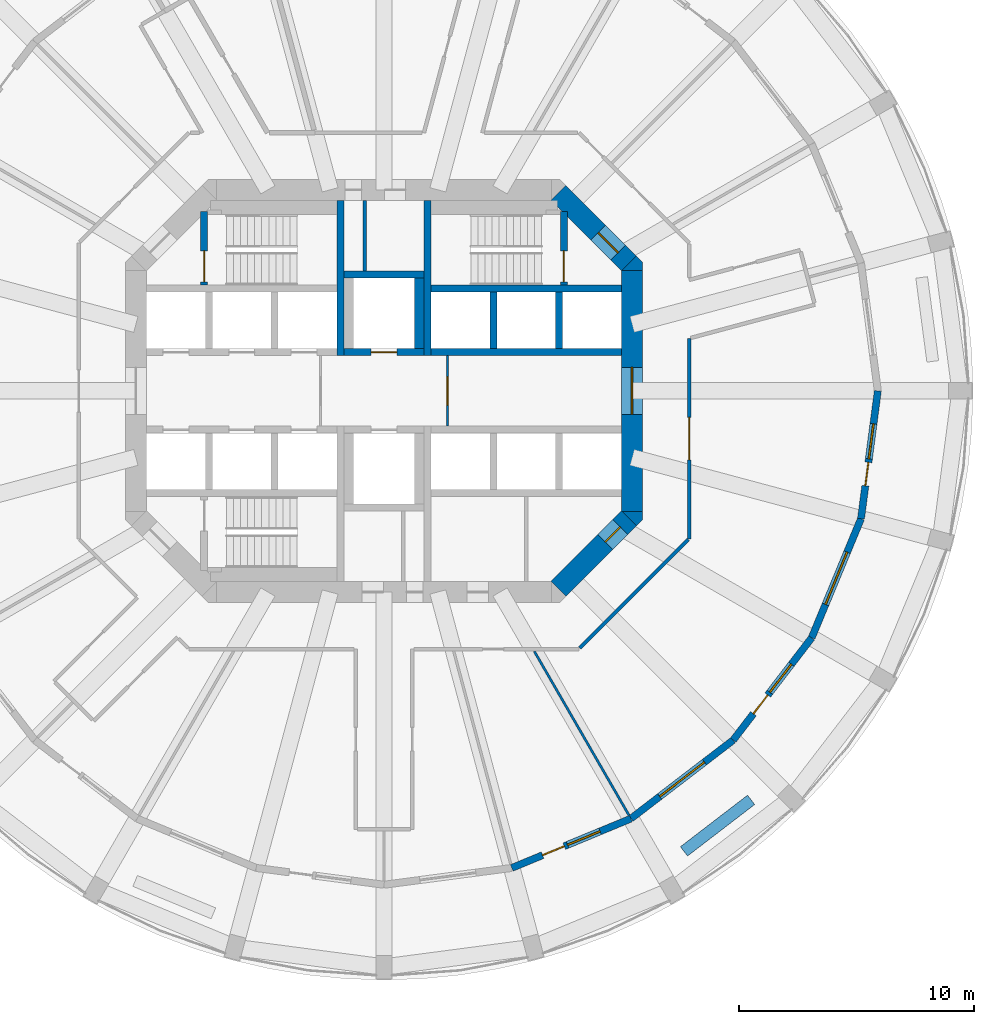
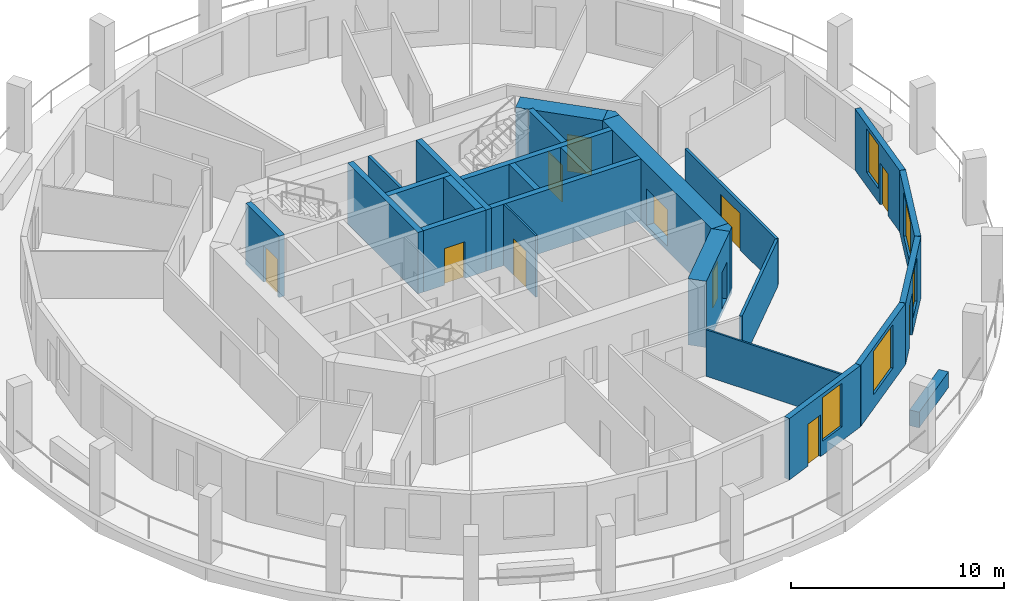
# One storey, part 4 of 8: 27 walls, 11 doors, 5 windows, 16 openings.
"""IFC4 building model written with IfcOpenShell, lengths in metres."""

import ifcopenshell
import ifcopenshell.guid

model = None  # the IFC model being written
_history = None  # IfcOwnerHistory: only IFC2X3 demands one
_inside = {}  # id of a spatial element -> (the spatial element, [elements in it])
_under = {}  # id of a project, library or spatial element -> (it, [spatial elements below it])
_declared = {}  # id of a project -> (the project, [libraries it declares])
_typed = {}  # id of a type object -> (the type object, [elements of that type])
_made_of = {}  # id of a material, layer set ... -> (it, [elements and type objects made of it])


def new_model(schema):
    """Start an empty IFC model of exactly this schema.

    Asked for "IFC4X3", IfcOpenShell would pick the latest addendum, in which some entities
    have other attributes; the version numbers below select the first issue.
    IFC2X3 requires an IfcOwnerHistory on every rooted entity: one is made here for all.
    """
    global model, _history
    if schema == "IFC4X3":
        model = ifcopenshell.file(schema_version=(4, 3, 0, 0))
    else:
        model = ifcopenshell.file(schema=schema)
    _inside.clear()
    _under.clear()
    _declared.clear()
    _typed.clear()
    _made_of.clear()
    _history = None
    if model.schema == "IFC2X3":
        org = make("IfcOrganization", Name="unknown")
        user = make(
            "IfcPersonAndOrganization",
            ThePerson=make("IfcPerson", FamilyName="unknown"),
            TheOrganization=org,
        )
        app = make(
            "IfcApplication",
            ApplicationDeveloper=org,
            Version="unknown",
            ApplicationFullName="unknown",
            ApplicationIdentifier="unknown",
        )
        _history = make(
            "IfcOwnerHistory",
            OwningUser=user,
            OwningApplication=app,
            ChangeAction="ADDED",
            CreationDate=0,
        )
    return model


def make(cls, **values):
    """One entity of the class cls with the attributes given. An attribute that is None is left unset."""
    return model.create_entity(
        cls, **{name: value for name, value in values.items() if value is not None}
    )


def rooted(cls, **values):
    """An entity with a GlobalId (a new one), such as an element, a storey or a relation."""
    return make(cls, GlobalId=ifcopenshell.guid.new(), OwnerHistory=_history, **values)


def si_unit(unit_type, name, prefix=None):
    """IfcSIUnit, for example si_unit("LENGTHUNIT", "METRE", prefix="MILLI")."""
    return make("IfcSIUnit", UnitType=unit_type, Prefix=prefix, Name=name)


def assignment(units):
    """IfcUnitAssignment: the units of a project."""
    return None if units is None else make("IfcUnitAssignment", Units=units)


def point(xyz):
    """IfcCartesianPoint."""
    return None if xyz is None else make("IfcCartesianPoint", Coordinates=xyz)


def direction(xyz):
    """IfcDirection."""
    return None if xyz is None else make("IfcDirection", DirectionRatios=xyz)


def frame(location, z_axis=None, x_axis=None):
    """IfcAxis2Placement3D, a coordinate frame: its origin and axes. An axis left out is left unset."""
    return make(
        "IfcAxis2Placement3D",
        Location=point(location),
        Axis=direction(z_axis),
        RefDirection=direction(x_axis),
    )


def frame_2d(location, x_axis=None):
    """IfcAxis2Placement2D, a coordinate frame in the plane: its origin and x axis."""
    return make(
        "IfcAxis2Placement2D", Location=point(location), RefDirection=direction(x_axis)
    )


def origin():
    """The frame at (0, 0, 0) with its axes left unset."""
    return frame((0.0, 0.0, 0.0))


def place(relative_to, where):
    """IfcLocalPlacement: puts the frame where relative to a parent placement (None: the world)."""
    return make(
        "IfcLocalPlacement", PlacementRelTo=relative_to, RelativePlacement=where
    )


def context(
    kind, dimensions, precision=None, world=None, true_north=None, identifier=None
):
    """IfcGeometricRepresentationContext, for example the 3D "Model" context."""
    return make(
        "IfcGeometricRepresentationContext",
        ContextIdentifier=identifier,
        ContextType=kind,
        CoordinateSpaceDimension=dimensions,
        Precision=precision,
        WorldCoordinateSystem=world,
        TrueNorth=true_north,
    )


def subcontext(parent, identifier, kind, view, scale=None):
    """IfcGeometricRepresentationSubContext, for example "Body" below "Model"."""
    return make(
        "IfcGeometricRepresentationSubContext",
        ContextIdentifier=identifier,
        ContextType=kind,
        ParentContext=parent,
        TargetScale=scale,
        TargetView=view,
    )


def project(units=None, contexts=None):
    """IfcProject with its units and contexts."""
    return rooted(
        "IfcProject",
        Name="project",
        RepresentationContexts=contexts,
        UnitsInContext=assignment(units),
    )


def spatial(cls, under=None, at=None, **own):
    """A site, building, storey or space (cls), placed at a placement, below another one or the project."""
    s = rooted(cls, ObjectPlacement=at, **own)
    if under is not None:
        _under.setdefault(under.id(), (under, []))[1].append(s)
    return s


def polyline(points):
    """IfcPolyline through the points."""
    return make("IfcPolyline", Points=[point(p) for p in points])


def profile(cls, at=None, kind="AREA", **sizes):
    """A parametric profile (cls). Its sizes go by their IFC names, for example OverallWidth=200.0."""
    return make(cls, ProfileType=kind, Position=at, **sizes)


def rectangle(**sizes):
    """IfcRectangleProfileDef."""
    return profile("IfcRectangleProfileDef", **sizes)


def outline(outer, holes=None, kind="AREA"):
    """IfcArbitraryClosedProfileDef: a profile drawn as a closed curve; with holes, ...WithVoids."""
    if holes is None:
        return make("IfcArbitraryClosedProfileDef", ProfileType=kind, OuterCurve=outer)
    return make(
        "IfcArbitraryProfileDefWithVoids",
        ProfileType=kind,
        OuterCurve=outer,
        InnerCurves=holes,
    )


def extrude(swept, where, along, depth):
    """IfcExtrudedAreaSolid: the profile swept, set in the frame where, extruded along a direction by depth."""
    return make(
        "IfcExtrudedAreaSolid",
        SweptArea=swept,
        Position=where,
        ExtrudedDirection=direction(along),
        Depth=depth,
    )


def shape(context_of_items, identifier, shape_type, items):
    """IfcShapeRepresentation: the items that make up one representation, for example the "Body"."""
    return make(
        "IfcShapeRepresentation",
        ContextOfItems=context_of_items,
        RepresentationIdentifier=identifier,
        RepresentationType=shape_type,
        Items=items,
    )


def material(Name=None, Category=None):
    """IfcMaterial."""
    return make("IfcMaterial", Name=Name, Category=Category)


def layer(
    of_material, thickness, ventilated=None, Name=None, Category=None, Priority=None
):
    """IfcMaterialLayer: one layer of a wall or slab, of a material (None: an air gap)."""
    return make(
        "IfcMaterialLayer",
        Material=of_material,
        LayerThickness=thickness,
        IsVentilated=ventilated,
        Name=Name,
        Category=Category,
        Priority=Priority,
    )


def layer_set(layers, Name=None):
    """IfcMaterialLayerSet."""
    return make("IfcMaterialLayerSet", MaterialLayers=layers, LayerSetName=Name)


def made_of(thing, what):
    """Note that an element or type object is made of a material, layer set ...; save() writes the relation."""
    if what is not None:
        _made_of.setdefault(what.id(), (what, []))[1].append(thing)
    return thing


def type_object(cls, material=None, **own):
    """A type object (cls), such as IfcWallType, which elements share."""
    return made_of(rooted(cls, **own), material)


def element(
    cls,
    number,
    at=None,
    inside=None,
    cuts=None,
    type_object=None,
    material=None,
    context=None,
    identifier="Body",
    shape_type=None,
    held_by="IfcProductDefinitionShape",
    body=None,
    shapes=None,
    **own,
):
    """One element of the class cls, such as IfcWall. Its Tag is "e" and its number.

    at: its placement. inside: the storey or other place that contains it. cuts: it is an
    opening in that element (IfcRelVoidsElement). A single representation is given by context,
    identifier, shape_type and body (its items); several are given by shapes. held_by: the class
    of the entity that holds the representations. save() writes the other relations.
    """
    e = rooted(cls, Tag="e%d" % number, ObjectPlacement=at, **own)
    if body is not None:
        shapes = [shape(context, identifier, shape_type, body)]
    if shapes is not None:
        e.Representation = make(held_by, Representations=shapes)
    if inside is not None:
        _inside.setdefault(inside.id(), (inside, []))[1].append(e)
    if cuts is not None:
        rooted(
            "IfcRelVoidsElement", RelatingBuildingElement=cuts, RelatedOpeningElement=e
        )
    if type_object is not None:
        _typed.setdefault(type_object.id(), (type_object, []))[1].append(e)
    return made_of(e, material)


def fill(opening, filler):
    """IfcRelFillsElement: the door or window that sits in an opening."""
    return rooted(
        "IfcRelFillsElement",
        RelatingOpeningElement=opening,
        RelatedBuildingElement=filler,
    )


def aggregate(whole, parts):
    """IfcRelAggregates: a whole, such as a stair, and the parts it consists of."""
    return rooted("IfcRelAggregates", RelatingObject=whole, RelatedObjects=parts)


def save(model, path):
    """Write the relations noted so far, then the file.

    IfcRelAggregates (storeys below a building ...), IfcRelContainedInSpatialStructure (elements
    in a storey), IfcRelDefinesByType, IfcRelAssociatesMaterial and IfcRelDeclares: one each for
    every whole, place, type object, material and project.
    """
    for whole, parts in _under.values():
        aggregate(whole, parts)
    for where, things in _inside.values():
        rooted(
            "IfcRelContainedInSpatialStructure",
            RelatedElements=things,
            RelatingStructure=where,
        )
    for kind, things in _typed.values():
        rooted("IfcRelDefinesByType", RelatedObjects=things, RelatingType=kind)
    for what, things in _made_of.values():
        rooted("IfcRelAssociatesMaterial", RelatedObjects=things, RelatingMaterial=what)
    for by, libraries in _declared.values():
        rooted("IfcRelDeclares", RelatingContext=by, RelatedDefinitions=libraries)
    model.write(path)


model = new_model("IFC4")

# Units and contexts
model_context = context("Model", 3, precision=1e-05, world=origin(), true_north=direction((0.0, 1.0)))
body_context = subcontext(model_context, "Body", "Model", "MODEL_VIEW")
ifc_project = project(units=[si_unit("LENGTHUNIT", "METRE"), si_unit("AREAUNIT", "SQUARE_METRE"), si_unit("VOLUMEUNIT", "CUBIC_METRE"), si_unit("PLANEANGLEUNIT", "RADIAN"), si_unit("MASSUNIT", "GRAM", prefix="KILO")], contexts=[model_context])

# Site, building, storey
site_placement = place(None, origin())
site = spatial("IfcSite", under=ifc_project, at=site_placement, CompositionType="ELEMENT")
building_placement = place(site_placement, origin())
building = spatial("IfcBuilding", under=site, at=building_placement, Name="Torre Triforio", CompositionType="ELEMENT")
storey_placement = place(building_placement, frame((0.0, 0.0, 131.39990234375)))
storey = spatial("IfcBuildingStorey", under=building, at=storey_placement, Name="L29", CompositionType="ELEMENT", Elevation=131.39990234375)

# Walls
ifc_material_1 = material(Name="Concrete C60", Category="concrete")
ifc_layer_1 = layer(ifc_material_1, 0.300048828125)
ifc_layer_set_1 = layer_set([ifc_layer_1], Name="Concrete C60")
wall_type_1 = type_object("IfcWallType", Name="Core wall 300 mm C60 EI 120", PredefinedType="SHEAR", material=ifc_layer_set_1)
for number, where, z_axis, x_axis, name in (
    (1, (-1.85009765625, 1.5, 0.0), (0.0, 0.0, 1.0), (0.0, 1.0, 0.0), "Core wall"),
    (2, (1.85009765625, 1.5, 0.0), (0.0, 0.0, 1.0), (0.0, 1.0, 0.0), "Core wall"),
):
    element("IfcWall", number, at=place(storey_placement, frame(where, z_axis=z_axis, x_axis=x_axis)), inside=storey, type_object=wall_type_1, Name=name, PredefinedType="SHEAR", context=body_context, shape_type="SweptSolid", body=[
        extrude(rectangle(XDim=6.60009765625, YDim=0.300048828125, at=frame_2d((3.300048828125, 0.0))), origin(), (0.0, 0.0, 1.0), 3.52001953125),
    ])

# Wall, opening, door
ifc_layer_2 = layer(ifc_material_1, 0.89990234375)
ifc_layer_set_2 = layer_set([ifc_layer_2], Name="Concrete C60")
wall_type_2 = type_object("IfcWallType", Name="Core wall 900 mm C60 EI 120", PredefinedType="SHEAR", material=ifc_layer_set_2)
wall_1_placement = place(storey_placement, frame((10.550048828125, -5.1298828125, -0.27978515625), z_axis=(0.0, 0.0, 1.0), x_axis=(0.0, 1.0, 0.0)))
wall_1 = element("IfcWall", 3, at=wall_1_placement, inside=storey, type_object=wall_type_2, Name="Core wall", PredefinedType="SHEAR", context=body_context, shape_type="SweptSolid", body=[
    extrude(rectangle(XDim=10.259765625, YDim=0.89990234375, at=frame_2d((5.1298828125, 0.0))), origin(), (0.0, 0.0, 1.0), 3.7998046875),
])
opening_1_placement = place(wall_1_placement, frame((4.1298828125, 0.0, 0.280029296875)))
opening_1 = element("IfcOpeningElement", 4, at=opening_1_placement, cuts=wall_1, Name="Opening E-RING", PredefinedType="OPENING", context=body_context, shape_type="SweptSolid", body=[
    extrude(rectangle(XDim=2.0, YDim=2.10009765625, at=frame_2d((1.0, 1.050048828125))), frame((0.0, 0.4599609375, 0.0), z_axis=(0.0, -1.0, 0.0), x_axis=(1.0, 0.0, 0.0)), (0.0, 0.0, 1.0), 0.919921875),
])
ifc_material_2 = material(Name="Hollow metal fire door leaf")
door_type_1 = type_object("IfcDoorType", Name="Lobby door 2000 x 2100 EI 60", OperationType="DOUBLE_DOOR_SINGLE_SWING", PredefinedType="DOOR", material=ifc_material_2)
door_1_placement = place(opening_1_placement, origin())
door_1 = element("IfcDoor", 5, at=door_1_placement, inside=storey, type_object=door_type_1, Name="Core door E-RING", OperationType="DOUBLE_DOOR_SINGLE_SWING", OverallHeight=2.10009765625, OverallWidth=2.0, PredefinedType="DOOR", context=body_context, shape_type="SweptSolid", body=[
    extrude(rectangle(XDim=2.0, YDim=2.10009765625, at=frame_2d((1.0, 1.050048828125))), frame((0.0, 0.02490234375, 0.0), z_axis=(0.0, -1.0, 0.0), x_axis=(1.0, 0.0, 0.0)), (0.0, 0.0, 1.0), 0.050048828125),
])
fill(opening_1, door_1)

wall_2_placement = place(storey_placement, frame((7.418212890625, 8.418212890625, -0.27978515625), z_axis=(0.0, 0.0, 1.0), x_axis=(0.707106781187, -0.707106781187, 0.0)))
wall_2 = element("IfcWall", 6, at=wall_2_placement, inside=storey, type_object=wall_type_2, Name="Core wall", PredefinedType="SHEAR", context=body_context, shape_type="SweptSolid", body=[
    extrude(rectangle(XDim=4.24267578125, YDim=0.89990234375, at=frame_2d((2.121337890625, 0.0))), origin(), (0.0, 0.0, 1.0), 3.7998046875),
])
opening_2_placement = place(wall_2_placement, frame((2.392578125, 0.0, 0.280029296875)))
opening_2 = element("IfcOpeningElement", 7, at=opening_2_placement, cuts=wall_2, Name="Opening ST2-EXIT", PredefinedType="OPENING", context=body_context, shape_type="SweptSolid", body=[
    extrude(rectangle(XDim=1.199951171875, YDim=2.10009765625, at=frame_2d((0.60009765625, 1.050048828125))), frame((0.0, 0.4599609375, 0.0), z_axis=(0.0, -1.0, 0.0), x_axis=(1.0, 0.0, 0.0)), (0.0, 0.0, 1.0), 0.919921875),
])
door_type_2 = type_object("IfcDoorType", Name="Stair lobby door 1200 x 2100 EI 60", OperationType="NOTDEFINED", PredefinedType="DOOR", material=ifc_material_2)
door_2_placement = place(opening_2_placement, origin())
door_2 = element("IfcDoor", 8, at=door_2_placement, inside=storey, type_object=door_type_2, Name="Core door ST2-EXIT", OperationType="SINGLE_SWING_RIGHT", OverallHeight=2.10009765625, OverallWidth=1.199951171875, PredefinedType="DOOR", context=body_context, shape_type="SweptSolid", body=[
    extrude(rectangle(XDim=1.199951171875, YDim=2.10009765625, at=frame_2d((0.60009765625, 1.050048828125))), frame((0.0, 0.02490234375, 0.0), z_axis=(0.0, -1.0, 0.0), x_axis=(1.0, 0.0, 0.0)), (0.0, 0.0, 1.0), 0.050048828125),
])
fill(opening_2, door_2)

wall_3_placement = place(storey_placement, frame((10.418212890625, -5.418212890625, -0.27978515625), z_axis=(0.0, 0.0, 1.0), x_axis=(-0.707106781187, -0.707106781187, 0.0)))
wall_3 = element("IfcWall", 9, at=wall_3_placement, inside=storey, type_object=wall_type_2, Name="Core wall", PredefinedType="SHEAR", context=body_context, shape_type="SweptSolid", body=[
    extrude(rectangle(XDim=4.24267578125, YDim=0.89990234375, at=frame_2d((2.121337890625, 0.0))), origin(), (0.0, 0.0, 1.0), 3.7998046875),
])
opening_3_placement = place(wall_3_placement, frame((0.52001953125, 0.0, 0.280029296875)))
opening_3 = element("IfcOpeningElement", 10, at=opening_3_placement, cuts=wall_3, Name="Opening SE-02", PredefinedType="OPENING", context=body_context, shape_type="SweptSolid", body=[
    extrude(rectangle(XDim=0.89990234375, YDim=2.10009765625, at=frame_2d((0.449951171875, 1.050048828125))), frame((0.0, 0.4599609375, 0.0), z_axis=(0.0, -1.0, 0.0), x_axis=(1.0, 0.0, 0.0)), (0.0, 0.0, 1.0), 0.919921875),
])
door_type_3 = type_object("IfcDoorType", Name="Room door 900 x 2100 EI 60", OperationType="NOTDEFINED", PredefinedType="DOOR", material=ifc_material_2)
door_3_placement = place(opening_3_placement, origin())
door_3 = element("IfcDoor", 11, at=door_3_placement, inside=storey, type_object=door_type_3, Name="Core door SE-02", OperationType="SINGLE_SWING_RIGHT", OverallHeight=2.10009765625, OverallWidth=0.89990234375, PredefinedType="DOOR", context=body_context, shape_type="SweptSolid", body=[
    extrude(rectangle(XDim=0.89990234375, YDim=2.10009765625, at=frame_2d((0.449951171875, 1.050048828125))), frame((0.0, 0.02490234375, 0.0), z_axis=(0.0, -1.0, 0.0), x_axis=(1.0, 0.0, 0.0)), (0.0, 0.0, 1.0), 0.050048828125),
])
fill(opening_3, door_3)

# Walls
wall_4_placement = place(storey_placement, frame((0.0, 0.0, -0.27978515625)))
element("IfcWall", 12, at=wall_4_placement, inside=storey, type_object=wall_type_2, Name="Core wall", PredefinedType="SHEAR", context=body_context, shape_type="SweptSolid", body=[
    extrude(outline(polyline([(11.0, -5.472900390625), (10.736328125, -5.736328125), (10.1298828125, -5.1298828125), (11.0, -5.1298828125), (11.0, -5.472900390625)])), origin(), (0.0, 0.0, 1.0), 3.7998046875),
])
wall_5_placement = place(storey_placement, frame((0.0, 0.0, -0.27978515625)))
element("IfcWall", 13, at=wall_5_placement, inside=storey, type_object=wall_type_2, Name="Core wall", PredefinedType="SHEAR", context=body_context, shape_type="SweptSolid", body=[
    extrude(outline(polyline([(11.0, 5.472900390625), (11.0, 5.1298828125), (10.1298828125, 5.1298828125), (10.736328125, 5.736328125), (11.0, 5.472900390625)])), origin(), (0.0, 0.0, 1.0), 3.7998046875),
])

# Wall, opening, door
ifc_material_3 = material(Name="Plasterboard on metal studs")
ifc_layer_3 = layer(ifc_material_3, 0.14990234375)
ifc_layer_set_3 = layer_set([ifc_layer_3], Name="Plasterboard on metal studs")
wall_type_3 = type_object("IfcWallType", Name="Corridor and tenancy wall 150 mm EI 60", PredefinedType="PARTITIONING", material=ifc_layer_set_3)
wall_6_placement = place(storey_placement, frame((12.97509765625, 2.234375, 0.0), z_axis=(0.0, 0.0, 1.0), x_axis=(0.0, -1.0, 0.0)))
wall_6 = element("IfcWall", 14, at=wall_6_placement, inside=storey, type_object=wall_type_3, Name="Partition 22", PredefinedType="PARTITIONING", context=body_context, shape_type="SweptSolid", body=[
    extrude(rectangle(XDim=8.525390625, YDim=0.14990234375, at=frame_2d((4.2626953125, 0.0))), origin(), (0.0, 0.0, 1.0), 2.670166015625),
])
opening_4_placement = place(wall_6_placement, frame((3.362548828125, 0.0, 0.0)))
opening_4 = element("IfcOpeningElement", 15, at=opening_4_placement, cuts=wall_6, Name="Opening D2-07", PredefinedType="OPENING", context=body_context, shape_type="SweptSolid", body=[
    extrude(rectangle(XDim=1.800048828125, YDim=2.10009765625, at=frame_2d((0.89990234375, 1.050048828125))), frame((0.0, 0.0849609375, 0.0), z_axis=(0.0, -1.0, 0.0), x_axis=(1.0, 0.0, 0.0)), (0.0, 0.0, 1.0), 0.169921875),
])
ifc_material_4 = material(Name="Timber", Category="wood")
door_type_4 = type_object("IfcDoorType", Name="Door 1800 x 2100 double leaf EI 30", OperationType="DOUBLE_DOOR_SINGLE_SWING", PredefinedType="DOOR", material=ifc_material_4)
door_4_placement = place(opening_4_placement, origin())
door_4 = element("IfcDoor", 16, at=door_4_placement, inside=storey, type_object=door_type_4, Name="Door D2-07", OperationType="DOUBLE_DOOR_SINGLE_SWING", OverallHeight=2.10009765625, OverallWidth=1.800048828125, PredefinedType="DOOR", context=body_context, shape_type="SweptSolid", body=[
    extrude(rectangle(XDim=1.800048828125, YDim=2.10009765625, at=frame_2d((0.89990234375, 1.050048828125))), frame((0.0, 0.02490234375, 0.0), z_axis=(0.0, -1.0, 0.0), x_axis=(1.0, 0.0, 0.0)), (0.0, 0.0, 1.0), 0.050048828125),
])
fill(opening_4, door_4)

# Wall
wall_7_placement = place(storey_placement, frame((12.93798828125, -6.327880859375, 0.0), z_axis=(0.0, 0.0, 1.0), x_axis=(-0.707106781187, -0.707106781187, 0.0)))
element("IfcWall", 17, at=wall_7_placement, inside=storey, type_object=wall_type_3, Name="Partition 23", PredefinedType="PARTITIONING", context=body_context, shape_type="SweptSolid", body=[
    extrude(rectangle(XDim=6.519775390625, YDim=0.14990234375, at=frame_2d((3.259765625, 0.0))), origin(), (0.0, 0.0, 1.0), 2.670166015625),
])

# Wall, opening, door
ifc_material_5 = material(Name="Block and board partition")
ifc_layer_4 = layer(ifc_material_5, 0.10009765625)
ifc_layer_set_4 = layer_set([ifc_layer_4], Name="Block and board partition")
wall_type_4 = type_object("IfcWallType", Name="Partition 100 mm EI 120", PredefinedType="PARTITIONING", material=ifc_layer_set_4)
wall_8_placement = place(storey_placement, frame((2.699951171875, -1.5, 0.0), z_axis=(0.0, 0.0, 1.0), x_axis=(0.0, 1.0, 0.0)))
wall_8 = element("IfcWall", 18, at=wall_8_placement, inside=storey, type_object=wall_type_4, Name="Partition", PredefinedType="PARTITIONING", context=body_context, shape_type="SweptSolid", body=[
    extrude(rectangle(XDim=3.0, YDim=0.10009765625, at=frame_2d((1.5, 0.0))), origin(), (0.0, 0.0, 1.0), 3.52001953125),
])
opening_5_placement = place(wall_8_placement, frame((0.89990234375, 0.0, 0.0)))
opening_5 = element("IfcOpeningElement", 19, at=opening_5_placement, cuts=wall_8, Name="Opening FF-E", PredefinedType="OPENING", context=body_context, shape_type="SweptSolid", body=[
    extrude(rectangle(XDim=1.199951171875, YDim=2.10009765625, at=frame_2d((0.60009765625, 1.050048828125))), frame((0.0, 0.06005859375, 0.0), z_axis=(0.0, -1.0, 0.0), x_axis=(1.0, 0.0, 0.0)), (0.0, 0.0, 1.0), 0.1201171875),
])
door_type_5 = type_object("IfcDoorType", Name="Fire-fighting lobby door 1200 x 2100 EI 60", OperationType="NOTDEFINED", PredefinedType="DOOR", material=ifc_material_2)
door_5_placement = place(opening_5_placement, origin())
door_5 = element("IfcDoor", 20, at=door_5_placement, inside=storey, type_object=door_type_5, Name="Core door FF-E", OperationType="SINGLE_SWING_RIGHT", OverallHeight=2.10009765625, OverallWidth=1.199951171875, PredefinedType="DOOR", context=body_context, shape_type="SweptSolid", body=[
    extrude(rectangle(XDim=1.199951171875, YDim=2.10009765625, at=frame_2d((0.60009765625, 1.050048828125))), frame((0.0, 0.02490234375, 0.0), z_axis=(0.0, -1.0, 0.0), x_axis=(1.0, 0.0, 0.0)), (0.0, 0.0, 1.0), 0.050048828125),
])
fill(opening_5, door_5)

# Walls
ifc_layer_5 = layer(ifc_material_3, 0.10009765625)
ifc_layer_set_5 = layer_set([ifc_layer_5], Name="Plasterboard on metal studs")
wall_type_5 = type_object("IfcWallType", Name="Partition 100 mm board on metal studs", PredefinedType="PARTITIONING", material=ifc_layer_set_5)
wall_9_placement = place(storey_placement, frame((6.393798828125, -11.07470703125, 0.0), z_axis=(0.0, 0.0, 1.0), x_axis=(0.500024397361, -0.866011317503, 0.0)))
element("IfcWall", 21, at=wall_9_placement, inside=storey, type_object=wall_type_5, Name="Partition 45", PredefinedType="PARTITIONING", context=body_context, shape_type="SweptSolid", body=[
    extrude(rectangle(XDim=8.048828125, YDim=0.10009765625, at=frame_2d((4.0244140625, 0.0))), origin(), (0.0, 0.0, 1.0), 2.670166015625),
])
ifc_layer_6 = layer(ifc_material_5, 0.14990234375)
ifc_layer_set_6 = layer_set([ifc_layer_6], Name="Block and board partition")
wall_type_6 = type_object("IfcWallType", Name="Partition 150 mm EI 120", PredefinedType="PARTITIONING", material=ifc_layer_set_6)
wall_10_placement = place(storey_placement, frame((-0.824951171875, 5.10009765625, 0.0), z_axis=(0.0, 0.0, 1.0), x_axis=(0.0, 1.0, 0.0)))
element("IfcWall", 22, at=wall_10_placement, inside=storey, type_object=wall_type_6, Name="Partition", PredefinedType="PARTITIONING", context=body_context, shape_type="SweptSolid", body=[
    extrude(rectangle(XDim=3.0, YDim=0.14990234375, at=frame_2d((1.5, 0.0))), origin(), (0.0, 0.0, 1.0), 3.52001953125),
])
ifc_material_6 = material(Name="Limestone cladding", Category="masonry")
ifc_layer_7 = layer(ifc_material_6, 0.10009765625)
ifc_material_7 = material(Name="Concrete C40", Category="concrete")
ifc_layer_8 = layer(ifc_material_7, 0.39990234375)
ifc_layer_set_7 = layer_set([ifc_layer_7, ifc_layer_8], Name="Limestone cladding / Concrete C40")
wall_type_7 = type_object("IfcWallType", Name="Planter wall 500", PredefinedType="PARAPET", material=ifc_layer_set_7)
wall_11_placement = place(storey_placement, frame((12.756103515625, -19.580810546875, 0.0), z_axis=(0.0, 0.0, 1.0), x_axis=(0.793384730612, 0.608720518162, 0.0)))
element("IfcWall", 23, at=wall_11_placement, inside=storey, type_object=wall_type_7, Name="Planter L29 bay 21", PredefinedType="PARAPET", context=body_context, shape_type="SweptSolid", body=[
    extrude(rectangle(XDim=3.60009765625, YDim=0.5, at=frame_2d((1.800048828125, 0.0))), origin(), (0.0, 0.0, 1.0), 0.900146484375),
])
ifc_layer_9 = layer(ifc_material_1, 0.300048828125)
ifc_layer_set_8 = layer_set([ifc_layer_9], Name="Concrete C60")
wall_type_8 = type_object("IfcWallType", Name="Shaft wall 300 mm C60 EI 120", PredefinedType="SOLIDWALL", material=ifc_layer_set_8)
for number, where, z_axis, x_axis, name in (
    (24, (2.0, 4.35009765625, 0.0), (0.0, 0.0, 1.0), (1.0, 0.0, 0.0), "Shaft wall"),
    (25, (2.0, 1.64990234375, 0.0), (0.0, 0.0, 1.0), (1.0, 0.0, 0.0), "Shaft wall"),
):
    element("IfcWall", number, at=place(storey_placement, frame(where, z_axis=z_axis, x_axis=x_axis)), inside=storey, type_object=wall_type_8, Name=name, PredefinedType="SOLIDWALL", context=body_context, shape_type="SweptSolid", body=[
        extrude(rectangle(XDim=8.10009765625, YDim=0.300048828125, at=frame_2d((4.050048828125, 0.0))), origin(), (0.0, 0.0, 1.0), 3.52001953125),
    ])
for number, where, z_axis, x_axis, name in (
    (26, (4.64990234375, 1.800048828125, 0.0), (0.0, 0.0, 1.0), (0.0, 1.0, 0.0), "Shaft wall"),
    (27, (7.449951171875, 1.800048828125, 0.0), (0.0, 0.0, 1.0), (0.0, 1.0, 0.0), "Shaft wall"),
):
    element("IfcWall", number, at=place(storey_placement, frame(where, z_axis=z_axis, x_axis=x_axis)), inside=storey, type_object=wall_type_8, Name=name, PredefinedType="SOLIDWALL", context=body_context, shape_type="SweptSolid", body=[
        extrude(rectangle(XDim=2.39990234375, YDim=0.300048828125, at=frame_2d((1.199951171875, 0.0))), origin(), (0.0, 0.0, 1.0), 3.52001953125),
    ])

# Wall, opening, door
wall_12_placement = place(storey_placement, frame((-1.699951171875, 1.64990234375, 0.0), z_axis=(0.0, 0.0, 1.0), x_axis=(1.0, 0.0, 0.0)))
wall_12 = element("IfcWall", 28, at=wall_12_placement, inside=storey, type_object=wall_type_8, Name="Shaft wall", PredefinedType="SOLIDWALL", context=body_context, shape_type="SweptSolid", body=[
    extrude(rectangle(XDim=3.39990234375, YDim=0.300048828125, at=frame_2d((1.699951171875, 0.0))), origin(), (0.0, 0.0, 1.0), 3.52001953125),
])
opening_6_placement = place(wall_12_placement, frame((1.14990234375, 0.0, 0.0)))
opening_6 = element("IfcOpeningElement", 29, at=opening_6_placement, cuts=wall_12, Name="Opening LD", PredefinedType="OPENING", context=body_context, shape_type="SweptSolid", body=[
    extrude(rectangle(XDim=1.10009765625, YDim=2.10009765625, at=frame_2d((0.550048828125, 1.050048828125))), frame((0.0, 0.159912109375, 0.0), z_axis=(0.0, -1.0, 0.0), x_axis=(1.0, 0.0, 0.0)), (0.0, 0.0, 1.0), 0.320068359375),
])
door_type_6 = type_object("IfcDoorType", Name="Landing door 1100 x 2100 EI 60", OperationType="DOUBLE_DOOR_SLIDING", PredefinedType="DOOR", material=ifc_material_2)
door_6_placement = place(opening_6_placement, origin())
door_6 = element("IfcDoor", 30, at=door_6_placement, inside=storey, type_object=door_type_6, Name="Landing door FFL1", OperationType="DOUBLE_DOOR_SLIDING", OverallHeight=2.10009765625, OverallWidth=1.10009765625, PredefinedType="DOOR", context=body_context, shape_type="SweptSolid", body=[
    extrude(rectangle(XDim=1.10009765625, YDim=2.10009765625, at=frame_2d((0.550048828125, 1.050048828125))), frame((0.0, 0.02490234375, 0.0), z_axis=(0.0, -1.0, 0.0), x_axis=(1.0, 0.0, 0.0)), (0.0, 0.0, 1.0), 0.050048828125),
])
fill(opening_6, door_6)

# Walls
wall_13_placement = place(storey_placement, frame((-1.699951171875, 4.949951171875, 0.0), z_axis=(0.0, 0.0, 1.0), x_axis=(1.0, 0.0, 0.0)))
element("IfcWall", 31, at=wall_13_placement, inside=storey, type_object=wall_type_8, Name="Shaft wall", PredefinedType="SOLIDWALL", context=body_context, shape_type="SweptSolid", body=[
    extrude(rectangle(XDim=3.39990234375, YDim=0.300048828125, at=frame_2d((1.699951171875, 0.0))), origin(), (0.0, 0.0, 1.0), 3.52001953125),
])
ifc_layer_10 = layer(ifc_material_1, 0.39990234375)
ifc_layer_set_9 = layer_set([ifc_layer_10], Name="Concrete C60")
wall_type_9 = type_object("IfcWallType", Name="Shaft wall 400 mm C60 EI 120", PredefinedType="SOLIDWALL", material=ifc_layer_set_9)
wall_14_placement = place(storey_placement, frame((1.5, 1.800048828125, 0.0), z_axis=(0.0, 0.0, 1.0), x_axis=(0.0, 1.0, 0.0)))
element("IfcWall", 32, at=wall_14_placement, inside=storey, type_object=wall_type_9, Name="Shaft wall", PredefinedType="SOLIDWALL", context=body_context, shape_type="SweptSolid", body=[
    extrude(rectangle(XDim=3.0, YDim=0.39990234375, at=frame_2d((1.5, 0.0))), origin(), (0.0, 0.0, 1.0), 3.52001953125),
])

# Wall, opening, door
ifc_layer_11 = layer(ifc_material_1, 0.300048828125)
ifc_layer_set_10 = layer_set([ifc_layer_11], Name="Concrete C60")
wall_type_10 = type_object("IfcWallType", Name="Stair wall 300 mm C60 EI 120", PredefinedType="SHEAR", material=ifc_layer_set_10)
wall_15_placement = place(storey_placement, frame((-7.64990234375, 4.5, 0.0), z_axis=(0.0, 0.0, 1.0), x_axis=(0.0, 1.0, 0.0)))
wall_15 = element("IfcWall", 33, at=wall_15_placement, inside=storey, type_object=wall_type_10, Name="Stair wall", PredefinedType="SHEAR", context=body_context, shape_type="SweptSolid", body=[
    extrude(rectangle(XDim=3.139892578125, YDim=0.300048828125, at=frame_2d((1.56982421875, 0.0))), origin(), (0.0, 0.0, 1.0), 3.52001953125),
])
opening_7_placement = place(wall_15_placement, frame((0.139892578125, 0.0, 0.0)))
opening_7 = element("IfcOpeningElement", 34, at=opening_7_placement, cuts=wall_15, Name="Opening ST1-STA", PredefinedType="OPENING", context=body_context, shape_type="SweptSolid", body=[
    extrude(rectangle(XDim=1.320068359375, YDim=2.10009765625, at=frame_2d((0.66015625, 1.050048828125))), frame((0.0, 0.159912109375, 0.0), z_axis=(0.0, -1.0, 0.0), x_axis=(1.0, 0.0, 0.0)), (0.0, 0.0, 1.0), 0.320068359375),
])
door_type_7 = type_object("IfcDoorType", Name="Stair door 1320 x 2100 EI 90", OperationType="DOUBLE_DOOR_SINGLE_SWING", PredefinedType="DOOR", material=ifc_material_2)
door_7_placement = place(opening_7_placement, origin())
door_7 = element("IfcDoor", 35, at=door_7_placement, inside=storey, type_object=door_type_7, Name="Core door ST1-ST", OperationType="DOUBLE_DOOR_SINGLE_SWING", OverallHeight=2.10009765625, OverallWidth=1.320068359375, PredefinedType="DOOR", context=body_context, shape_type="SweptSolid", body=[
    extrude(rectangle(XDim=1.320068359375, YDim=2.10009765625, at=frame_2d((0.66015625, 1.050048828125))), frame((0.0, 0.02490234375, 0.0), z_axis=(0.0, -1.0, 0.0), x_axis=(1.0, 0.0, 0.0)), (0.0, 0.0, 1.0), 0.050048828125),
])
fill(opening_7, door_7)

wall_16_placement = place(storey_placement, frame((7.64990234375, 4.5, 0.0), z_axis=(0.0, 0.0, 1.0), x_axis=(0.0, 1.0, 0.0)))
wall_16 = element("IfcWall", 36, at=wall_16_placement, inside=storey, type_object=wall_type_10, Name="Stair wall", PredefinedType="SHEAR", context=body_context, shape_type="SweptSolid", body=[
    extrude(rectangle(XDim=3.139892578125, YDim=0.300048828125, at=frame_2d((1.56982421875, 0.0))), origin(), (0.0, 0.0, 1.0), 3.52001953125),
])
opening_8_placement = place(wall_16_placement, frame((0.139892578125, 0.0, 0.0)))
opening_8 = element("IfcOpeningElement", 37, at=opening_8_placement, cuts=wall_16, Name="Opening ST2-STA", PredefinedType="OPENING", context=body_context, shape_type="SweptSolid", body=[
    extrude(rectangle(XDim=1.320068359375, YDim=2.10009765625, at=frame_2d((0.66015625, 1.050048828125))), frame((0.0, 0.159912109375, 0.0), z_axis=(0.0, -1.0, 0.0), x_axis=(1.0, 0.0, 0.0)), (0.0, 0.0, 1.0), 0.320068359375),
])
door_8_placement = place(opening_8_placement, origin())
door_8 = element("IfcDoor", 38, at=door_8_placement, inside=storey, type_object=door_type_7, Name="Core door ST2-ST", OperationType="DOUBLE_DOOR_SINGLE_SWING", OverallHeight=2.10009765625, OverallWidth=1.320068359375, PredefinedType="DOOR", context=body_context, shape_type="SweptSolid", body=[
    extrude(rectangle(XDim=1.320068359375, YDim=2.10009765625, at=frame_2d((0.66015625, 1.050048828125))), frame((0.0, 0.02490234375, 0.0), z_axis=(0.0, -1.0, 0.0), x_axis=(1.0, 0.0, 0.0)), (0.0, 0.0, 1.0), 0.050048828125),
])
fill(opening_8, door_8)

# Wall, openings, door, window
ifc_layer_12 = layer(ifc_material_6, 0.10009765625)
ifc_layer_13 = layer(ifc_material_7, 0.199951171875)
ifc_layer_set_11 = layer_set([ifc_layer_12, ifc_layer_13], Name="Limestone cladding / Concrete C40")
wall_type_11 = type_object("IfcWallType", Name="Stone-faced composite wall 300", PredefinedType="STANDARD", material=ifc_layer_set_11)
wall_17_placement = place(storey_placement, frame((5.435302734375, -20.284423828125, 0.0), z_axis=(0.0, 0.0, 1.0), x_axis=(0.923877333662, 0.382688740813, 0.0)))
wall_17 = element("IfcWall", 39, at=wall_17_placement, inside=storey, type_object=wall_type_11, Name="External wall L29 bay 20", PredefinedType="STANDARD", context=body_context, shape_type="SweptSolid", body=[
    extrude(rectangle(XDim=5.48193359375, YDim=0.300048828125, at=frame_2d((2.740966796875, 0.0))), origin(), (0.0, 0.0, 1.0), 3.52001953125),
])
opening_9_placement = place(wall_17_placement, frame((1.416015625, 0.0, 0.0)))
opening_9 = element("IfcOpeningElement", 40, at=opening_9_placement, cuts=wall_17, Name="Opening D2-D20", PredefinedType="OPENING", context=body_context, shape_type="SweptSolid", body=[
    extrude(rectangle(XDim=1.0, YDim=2.39990234375, at=frame_2d((0.5, 1.199951171875))), frame((0.0, 0.159912109375, 0.0), z_axis=(0.0, -1.0, 0.0), x_axis=(1.0, 0.0, 0.0)), (0.0, 0.0, 1.0), 0.320068359375),
])
opening_10_placement = place(wall_17_placement, frame((2.566162109375, 0.0, 0.800048828125)))
opening_10 = element("IfcOpeningElement", 41, at=opening_10_placement, cuts=wall_17, Name="Opening D2-W20A", PredefinedType="OPENING", context=body_context, shape_type="SweptSolid", body=[
    extrude(rectangle(XDim=1.5, YDim=2.5, at=frame_2d((0.75, 1.25))), frame((0.0, 0.159912109375, 0.0), z_axis=(0.0, -1.0, 0.0), x_axis=(1.0, 0.0, 0.0)), (0.0, 0.0, 1.0), 0.320068359375),
])
ifc_material_8 = material(Name="Aluminium frame with clear double glazing", Category="aluminium")
door_type_8 = type_object("IfcDoorType", Name="Loggia door 1000 x 2400", OperationType="NOTDEFINED", PredefinedType="DOOR", material=ifc_material_8)
door_9_placement = place(opening_9_placement, origin())
door_9 = element("IfcDoor", 42, at=door_9_placement, inside=storey, type_object=door_type_8, Name="Loggia door L29 bay 20", OperationType="SINGLE_SWING_LEFT", OverallHeight=2.39990234375, OverallWidth=1.0, PredefinedType="DOOR", context=body_context, shape_type="SweptSolid", body=[
    extrude(rectangle(XDim=1.0, YDim=2.39990234375, at=frame_2d((0.5, 1.199951171875))), frame((0.0, 0.02490234375, 0.0), z_axis=(0.0, -1.0, 0.0), x_axis=(1.0, 0.0, 0.0)), (0.0, 0.0, 1.0), 0.050048828125),
])
fill(opening_9, door_9)
window_type_1 = type_object("IfcWindowType", Name="Side window 1500 x 2500", PartitioningType="SINGLE_PANEL", PredefinedType="WINDOW", material=ifc_material_8)
window_1_placement = place(opening_10_placement, origin())
window_1 = element("IfcWindow", 43, at=window_1_placement, inside=storey, type_object=window_type_1, Name="Side window EWN13 L29 bay 20", OverallHeight=2.5, OverallWidth=1.5, PartitioningType="SINGLE_PANEL", PredefinedType="WINDOW", context=body_context, shape_type="SweptSolid", body=[
    extrude(rectangle(XDim=1.5, YDim=2.5, at=frame_2d((0.75, 1.25))), frame((0.0, 0.030029296875, 0.0), z_axis=(0.0, -1.0, 0.0), x_axis=(1.0, 0.0, 0.0)), (0.0, 0.0, 1.0), 0.06005859375),
])
fill(opening_10, window_1)

# Wall, opening, window
wall_18_placement = place(storey_placement, frame((10.5, -18.1865234375, 0.0), z_axis=(0.0, 0.0, 1.0), x_axis=(0.793335336593, 0.608784891166, 0.0)))
wall_18 = element("IfcWall", 44, at=wall_18_placement, inside=storey, type_object=wall_type_11, Name="External wall L29 bay 21", PredefinedType="STANDARD", context=body_context, shape_type="SweptSolid", body=[
    extrude(rectangle(XDim=5.482177734375, YDim=0.300048828125, at=frame_2d((2.7412109375, 0.0))), origin(), (0.0, 0.0, 1.0), 3.52001953125),
])
opening_11_placement = place(wall_18_placement, frame((1.541015625, 0.0, 0.800048828125)))
opening_11 = element("IfcOpeningElement", 45, at=opening_11_placement, cuts=wall_18, Name="Opening D2-W21", PredefinedType="OPENING", context=body_context, shape_type="SweptSolid", body=[
    extrude(rectangle(XDim=2.39990234375, YDim=2.5, at=frame_2d((1.199951171875, 1.25))), frame((0.0, 0.159912109375, 0.0), z_axis=(0.0, -1.0, 0.0), x_axis=(1.0, 0.0, 0.0)), (0.0, 0.0, 1.0), 0.320068359375),
])
window_type_2 = type_object("IfcWindowType", Name="Punched window 2400 x 2500", PartitioningType="DOUBLE_PANEL_VERTICAL", PredefinedType="WINDOW", material=ifc_material_8)
window_2_placement = place(opening_11_placement, origin())
window_2 = element("IfcWindow", 46, at=window_2_placement, inside=storey, type_object=window_type_2, Name="Window EWN3 L29 bay 21", OverallHeight=2.5, OverallWidth=2.39990234375, PartitioningType="SINGLE_PANEL", PredefinedType="WINDOW", context=body_context, shape_type="SweptSolid", body=[
    extrude(rectangle(XDim=2.39990234375, YDim=2.5, at=frame_2d((1.199951171875, 1.25))), frame((0.0, 0.030029296875, 0.0), z_axis=(0.0, -1.0, 0.0), x_axis=(1.0, 0.0, 0.0)), (0.0, 0.0, 1.0), 0.06005859375),
])
fill(opening_11, window_2)

# Wall, openings, door, window
wall_19_placement = place(storey_placement, frame((14.84912109375, -14.84912109375, 0.0), z_axis=(0.0, 0.0, 1.0), x_axis=(0.608784891166, 0.793335336593, 0.0)))
wall_19 = element("IfcWall", 47, at=wall_19_placement, inside=storey, type_object=wall_type_11, Name="External wall L29 bay 22", PredefinedType="STANDARD", context=body_context, shape_type="SweptSolid", body=[
    extrude(rectangle(XDim=5.482177734375, YDim=0.300048828125, at=frame_2d((2.7412109375, 0.0))), origin(), (0.0, 0.0, 1.0), 3.52001953125),
])
opening_12_placement = place(wall_19_placement, frame((1.416015625, 0.0, 0.0)))
opening_12 = element("IfcOpeningElement", 48, at=opening_12_placement, cuts=wall_19, Name="Opening D2-D22", PredefinedType="OPENING", context=body_context, shape_type="SweptSolid", body=[
    extrude(rectangle(XDim=1.0, YDim=2.39990234375, at=frame_2d((0.5, 1.199951171875))), frame((0.0, 0.159912109375, 0.0), z_axis=(0.0, -1.0, 0.0), x_axis=(1.0, 0.0, 0.0)), (0.0, 0.0, 1.0), 0.320068359375),
])
opening_13_placement = place(wall_19_placement, frame((2.56591796875, 0.0, 0.800048828125)))
opening_13 = element("IfcOpeningElement", 49, at=opening_13_placement, cuts=wall_19, Name="Opening D2-W22A", PredefinedType="OPENING", context=body_context, shape_type="SweptSolid", body=[
    extrude(rectangle(XDim=1.5, YDim=2.5, at=frame_2d((0.75, 1.25))), frame((0.0, 0.159912109375, 0.0), z_axis=(0.0, -1.0, 0.0), x_axis=(1.0, 0.0, 0.0)), (0.0, 0.0, 1.0), 0.320068359375),
])
door_10_placement = place(opening_12_placement, origin())
door_10 = element("IfcDoor", 50, at=door_10_placement, inside=storey, type_object=door_type_8, Name="Loggia door L29 bay 22", OperationType="SINGLE_SWING_LEFT", OverallHeight=2.39990234375, OverallWidth=1.0, PredefinedType="DOOR", context=body_context, shape_type="SweptSolid", body=[
    extrude(rectangle(XDim=1.0, YDim=2.39990234375, at=frame_2d((0.5, 1.199951171875))), frame((0.0, 0.02490234375, 0.0), z_axis=(0.0, -1.0, 0.0), x_axis=(1.0, 0.0, 0.0)), (0.0, 0.0, 1.0), 0.050048828125),
])
fill(opening_12, door_10)
window_3_placement = place(opening_13_placement, origin())
window_3 = element("IfcWindow", 51, at=window_3_placement, inside=storey, type_object=window_type_1, Name="Side window EWN13 L29 bay 22", OverallHeight=2.5, OverallWidth=1.5, PartitioningType="SINGLE_PANEL", PredefinedType="WINDOW", context=body_context, shape_type="SweptSolid", body=[
    extrude(rectangle(XDim=1.5, YDim=2.5, at=frame_2d((0.75, 1.25))), frame((0.0, 0.030029296875, 0.0), z_axis=(0.0, -1.0, 0.0), x_axis=(1.0, 0.0, 0.0)), (0.0, 0.0, 1.0), 0.06005859375),
])
fill(opening_13, window_3)

# Wall, opening, window
wall_20_placement = place(storey_placement, frame((18.1865234375, -10.5, 0.0), z_axis=(0.0, 0.0, 1.0), x_axis=(0.382688740813, 0.923877333662, 0.0)))
wall_20 = element("IfcWall", 52, at=wall_20_placement, inside=storey, type_object=wall_type_11, Name="External wall L29 bay 23", PredefinedType="STANDARD", context=body_context, shape_type="SweptSolid", body=[
    extrude(rectangle(XDim=5.48193359375, YDim=0.300048828125, at=frame_2d((2.740966796875, 0.0))), origin(), (0.0, 0.0, 1.0), 3.52001953125),
])
opening_14_placement = place(wall_20_placement, frame((1.541015625, 0.0, 0.800048828125)))
opening_14 = element("IfcOpeningElement", 53, at=opening_14_placement, cuts=wall_20, Name="Opening D2-W23", PredefinedType="OPENING", context=body_context, shape_type="SweptSolid", body=[
    extrude(rectangle(XDim=2.39990234375, YDim=2.5, at=frame_2d((1.199951171875, 1.25))), frame((0.0, 0.159912109375, 0.0), z_axis=(0.0, -1.0, 0.0), x_axis=(1.0, 0.0, 0.0)), (0.0, 0.0, 1.0), 0.320068359375),
])
window_4_placement = place(opening_14_placement, origin())
window_4 = element("IfcWindow", 54, at=window_4_placement, inside=storey, type_object=window_type_2, Name="Window EWN3 L29 bay 23", OverallHeight=2.5, OverallWidth=2.39990234375, PartitioningType="SINGLE_PANEL", PredefinedType="WINDOW", context=body_context, shape_type="SweptSolid", body=[
    extrude(rectangle(XDim=2.39990234375, YDim=2.5, at=frame_2d((1.199951171875, 1.25))), frame((0.0, 0.030029296875, 0.0), z_axis=(0.0, -1.0, 0.0), x_axis=(1.0, 0.0, 0.0)), (0.0, 0.0, 1.0), 0.06005859375),
])
fill(opening_14, window_4)

# Wall, openings, door, window
wall_21_placement = place(storey_placement, frame((20.284423828125, -5.435302734375, 0.0), z_axis=(0.0, 0.0, 1.0), x_axis=(0.130527087244, 0.991444743541, 0.0)))
wall_21 = element("IfcWall", 55, at=wall_21_placement, inside=storey, type_object=wall_type_11, Name="External wall L29 bay 24", PredefinedType="STANDARD", context=body_context, shape_type="SweptSolid", body=[
    extrude(rectangle(XDim=5.482177734375, YDim=0.300048828125, at=frame_2d((2.7412109375, 0.0))), origin(), (0.0, 0.0, 1.0), 3.52001953125),
])
opening_15_placement = place(wall_21_placement, frame((1.416015625, 0.0, 0.0)))
opening_15 = element("IfcOpeningElement", 56, at=opening_15_placement, cuts=wall_21, Name="Opening D2-D24", PredefinedType="OPENING", context=body_context, shape_type="SweptSolid", body=[
    extrude(rectangle(XDim=1.0, YDim=2.39990234375, at=frame_2d((0.5, 1.199951171875))), frame((0.0, 0.159912109375, 0.0), z_axis=(0.0, -1.0, 0.0), x_axis=(1.0, 0.0, 0.0)), (0.0, 0.0, 1.0), 0.320068359375),
])
opening_16_placement = place(wall_21_placement, frame((2.566162109375, 0.0, 0.800048828125)))
opening_16 = element("IfcOpeningElement", 57, at=opening_16_placement, cuts=wall_21, Name="Opening D2-W24A", PredefinedType="OPENING", context=body_context, shape_type="SweptSolid", body=[
    extrude(rectangle(XDim=1.5, YDim=2.5, at=frame_2d((0.75, 1.25))), frame((0.0, 0.159912109375, 0.0), z_axis=(0.0, -1.0, 0.0), x_axis=(1.0, 0.0, 0.0)), (0.0, 0.0, 1.0), 0.320068359375),
])
door_11_placement = place(opening_15_placement, origin())
door_11 = element("IfcDoor", 58, at=door_11_placement, inside=storey, type_object=door_type_8, Name="Loggia door L29 bay 24", OperationType="SINGLE_SWING_LEFT", OverallHeight=2.39990234375, OverallWidth=1.0, PredefinedType="DOOR", context=body_context, shape_type="SweptSolid", body=[
    extrude(rectangle(XDim=1.0, YDim=2.39990234375, at=frame_2d((0.5, 1.199951171875))), frame((0.0, 0.02490234375, 0.0), z_axis=(0.0, -1.0, 0.0), x_axis=(1.0, 0.0, 0.0)), (0.0, 0.0, 1.0), 0.050048828125),
])
fill(opening_15, door_11)
window_5_placement = place(opening_16_placement, origin())
window_5 = element("IfcWindow", 59, at=window_5_placement, inside=storey, type_object=window_type_1, Name="Side window EWN13 L29 bay 24", OverallHeight=2.5, OverallWidth=1.5, PartitioningType="SINGLE_PANEL", PredefinedType="WINDOW", context=body_context, shape_type="SweptSolid", body=[
    extrude(rectangle(XDim=1.5, YDim=2.5, at=frame_2d((0.75, 1.25))), frame((0.0, 0.030029296875, 0.0), z_axis=(0.0, -1.0, 0.0), x_axis=(1.0, 0.0, 0.0)), (0.0, 0.0, 1.0), 0.06005859375),
])
fill(opening_16, window_5)

save(model, "model.ifc")
